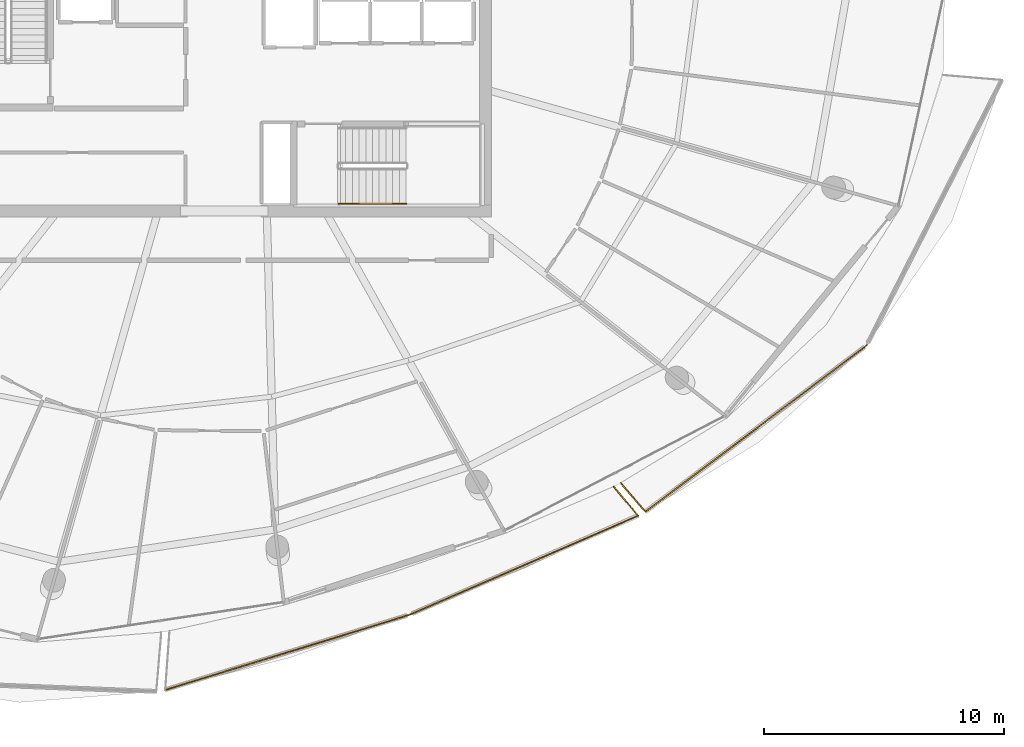
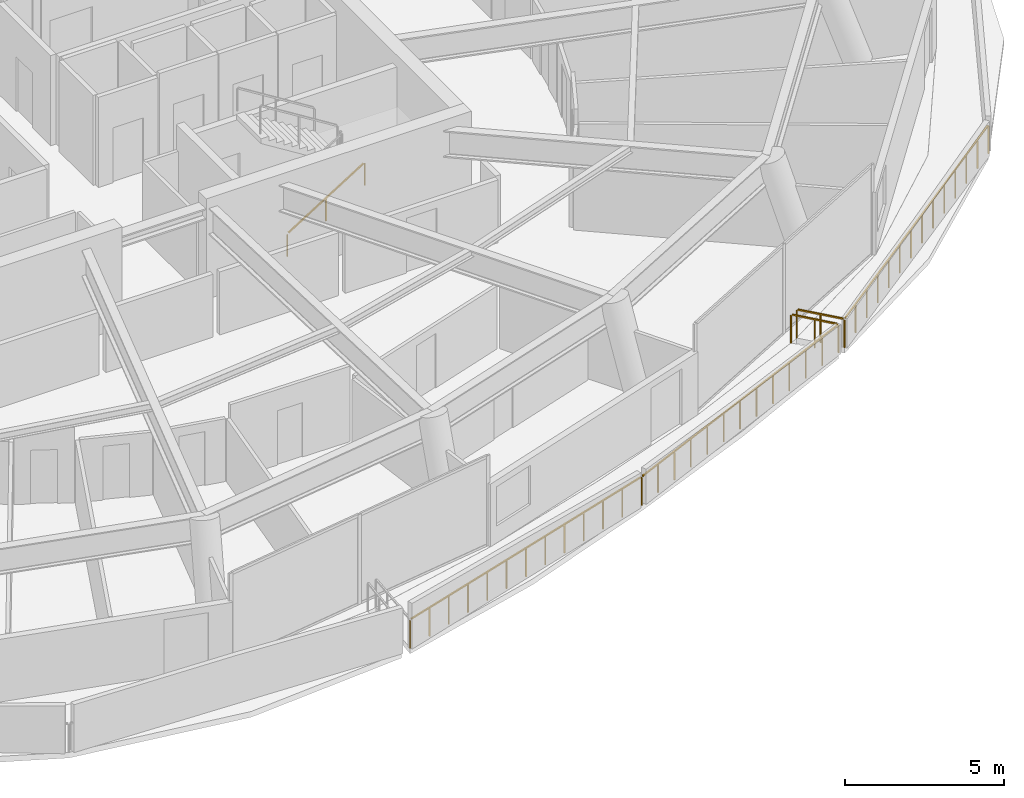
# One storey, part 26 of 30: 6 railings.
"""IFC4 building model written with IfcOpenShell, lengths in metres."""

from ifc_helpers import new_model, si_unit, direction, frame, origin, origin_2d, place, context, subcontext, project, spatial, rectangle, extrude, material, type_object, element, save


model = new_model("IFC4")

# Units and contexts
model_context = context("Model", 3, precision=1e-05, world=origin(), true_north=direction((0.0, 1.0)))
body_context = subcontext(model_context, "Body", "Model", "MODEL_VIEW")
ifc_project = project(units=[si_unit("LENGTHUNIT", "METRE"), si_unit("AREAUNIT", "SQUARE_METRE"), si_unit("VOLUMEUNIT", "CUBIC_METRE"), si_unit("PLANEANGLEUNIT", "RADIAN"), si_unit("MASSUNIT", "GRAM", prefix="KILO")], contexts=[model_context])

# Site, building, storey
site_placement = place(None, origin())
site = spatial("IfcSite", under=ifc_project, at=site_placement, CompositionType="ELEMENT")
building_placement = place(site_placement, origin())
building = spatial("IfcBuilding", under=site, at=building_placement, Name="Kazma Halo Residences", CompositionType="ELEMENT")
storey_placement = place(building_placement, frame((0.0, 0.0, 302.14990234375)))
storey = spatial("IfcBuildingStorey", under=building, at=storey_placement, Name="L76", CompositionType="ELEMENT", Elevation=302.14990234375)

# Railings
ifc_material_1 = material(Name="Aluminium AW-6063 T6 Brushed Cap Rail", Category="aluminium")
railing_type_1 = type_object("IfcRailingType", Name="RLG-BAL-CAP-1120", PredefinedType="BALUSTRADE", material=ifc_material_1)
railing_1_placement = place(storey_placement, frame((45.953369140625, 13.794189453125, 0.0)))
element("IfcRailing", 1, at=railing_1_placement, inside=storey, type_object=railing_type_1, Name="L76 SSE wave balcony guard 2", PredefinedType="BALUSTRADE", context=body_context, shape_type="SweptSolid", body=[
    extrude(rectangle(XDim=0.050048828125, YDim=0.050048828125, at=origin_2d()), frame((0.040771484375, 0.012451171875, 1.09521484375), z_axis=(0.955886857424, 0.293735111629, 0.0), x_axis=(-0.293735111629, 0.955886857424, 0.0)), (0.0, 0.0, 1.0), 10.57861328125),
    extrude(rectangle(XDim=0.0400390625, YDim=0.0400390625, at=origin_2d()), origin(), (0.0, 0.0, 1.0), 1.05810546875),
    extrude(rectangle(XDim=0.0400390625, YDim=0.0400390625, at=origin_2d()), frame((0.849365234375, 0.260986328125, 0.0)), (0.0, 0.0, 1.0), 1.05810546875),
    extrude(rectangle(XDim=0.0400390625, YDim=0.0400390625, at=origin_2d()), frame((1.698974609375, 0.52197265625, 0.0)), (0.0, 0.0, 1.0), 1.05810546875),
    extrude(rectangle(XDim=0.0400390625, YDim=0.0400390625, at=origin_2d()), frame((2.54833984375, 0.783203125, 0.0)), (0.0, 0.0, 1.0), 1.05810546875),
    extrude(rectangle(XDim=0.0400390625, YDim=0.0400390625, at=origin_2d()), frame((3.397705078125, 1.044189453125, 0.0)), (0.0, 0.0, 1.0), 1.05810546875),
    extrude(rectangle(XDim=0.0400390625, YDim=0.0400390625, at=origin_2d()), frame((4.247314453125, 1.30517578125, 0.0)), (0.0, 0.0, 1.0), 1.05810546875),
    extrude(rectangle(XDim=0.0400390625, YDim=0.0400390625, at=origin_2d()), frame((5.0966796875, 1.566162109375, 0.0)), (0.0, 0.0, 1.0), 1.05810546875),
    extrude(rectangle(XDim=0.0400390625, YDim=0.0400390625, at=origin_2d()), frame((5.946044921875, 1.8271484375, 0.0)), (0.0, 0.0, 1.0), 1.05810546875),
    extrude(rectangle(XDim=0.0400390625, YDim=0.0400390625, at=origin_2d()), frame((6.795654296875, 2.088134765625, 0.0)), (0.0, 0.0, 1.0), 1.05810546875),
    extrude(rectangle(XDim=0.0400390625, YDim=0.0400390625, at=origin_2d()), frame((7.64501953125, 2.34912109375, 0.0)), (0.0, 0.0, 1.0), 1.05810546875),
    extrude(rectangle(XDim=0.0400390625, YDim=0.0400390625, at=origin_2d()), frame((8.494384765625, 2.6103515625, 0.0)), (0.0, 0.0, 1.0), 1.05810546875),
    extrude(rectangle(XDim=0.0400390625, YDim=0.0400390625, at=origin_2d()), frame((9.343994140625, 2.871337890625, 0.0)), (0.0, 0.0, 1.0), 1.05810546875),
    extrude(rectangle(XDim=0.0400390625, YDim=0.0400390625, at=origin_2d()), frame((10.193359375, 3.13232421875, 0.0)), (0.0, 0.0, 1.0), 1.05810546875),
])
railing_2_placement = place(storey_placement, frame((56.146728515625, 16.926513671875, 0.0)))
element("IfcRailing", 2, at=railing_2_placement, inside=storey, type_object=railing_type_1, Name="L76 SSE wave balcony guard 3", PredefinedType="BALUSTRADE", context=body_context, shape_type="SweptSolid", body=[
    extrude(rectangle(XDim=0.050048828125, YDim=0.050048828125, at=origin_2d()), frame((0.0390625, 0.016845703125, 1.09521484375), z_axis=(0.917370135076, 0.398035218632, 0.0), x_axis=(-0.398035218632, 0.917370135076, 0.0)), (0.0, 0.0, 1.0), 10.29248046875),
    extrude(rectangle(XDim=0.0400390625, YDim=0.0400390625, at=origin_2d()), origin(), (0.0, 0.0, 1.0), 1.05810546875),
    extrude(rectangle(XDim=0.0400390625, YDim=0.0400390625, at=origin_2d()), frame((0.79345703125, 0.34423828125, 0.0)), (0.0, 0.0, 1.0), 1.05810546875),
    extrude(rectangle(XDim=0.0400390625, YDim=0.0400390625, at=origin_2d()), frame((1.586669921875, 0.6884765625, 0.0)), (0.0, 0.0, 1.0), 1.05810546875),
    extrude(rectangle(XDim=0.0400390625, YDim=0.0400390625, at=origin_2d()), frame((2.3798828125, 1.03271484375, 0.0)), (0.0, 0.0, 1.0), 1.05810546875),
    extrude(rectangle(XDim=0.0400390625, YDim=0.0400390625, at=origin_2d()), frame((3.17333984375, 1.376953125, 0.0)), (0.0, 0.0, 1.0), 1.05810546875),
    extrude(rectangle(XDim=0.0400390625, YDim=0.0400390625, at=origin_2d()), frame((3.966796875, 1.72119140625, 0.0)), (0.0, 0.0, 1.0), 1.05810546875),
    extrude(rectangle(XDim=0.0400390625, YDim=0.0400390625, at=origin_2d()), frame((4.760009765625, 2.0654296875, 0.0)), (0.0, 0.0, 1.0), 1.05810546875),
    extrude(rectangle(XDim=0.0400390625, YDim=0.0400390625, at=origin_2d()), frame((5.55322265625, 2.409423828125, 0.0)), (0.0, 0.0, 1.0), 1.05810546875),
    extrude(rectangle(XDim=0.0400390625, YDim=0.0400390625, at=origin_2d()), frame((6.3466796875, 2.753662109375, 0.0)), (0.0, 0.0, 1.0), 1.05810546875),
    extrude(rectangle(XDim=0.0400390625, YDim=0.0400390625, at=origin_2d()), frame((7.14013671875, 3.097900390625, 0.0)), (0.0, 0.0, 1.0), 1.05810546875),
    extrude(rectangle(XDim=0.0400390625, YDim=0.0400390625, at=origin_2d()), frame((7.933349609375, 3.442138671875, 0.0)), (0.0, 0.0, 1.0), 1.05810546875),
    extrude(rectangle(XDim=0.0400390625, YDim=0.0400390625, at=origin_2d()), frame((8.7265625, 3.786376953125, 0.0)), (0.0, 0.0, 1.0), 1.05810546875),
    extrude(rectangle(XDim=0.0400390625, YDim=0.0400390625, at=origin_2d()), frame((9.52001953125, 4.130615234375, 0.0)), (0.0, 0.0, 1.0), 1.05810546875),
])
railing_3_placement = place(storey_placement, frame((65.666748046875, 21.05712890625, 0.0)))
element("IfcRailing", 3, at=railing_3_placement, inside=storey, type_object=railing_type_1, Name="L76 SSE wave balcony guard 4", PredefinedType="BALUSTRADE", context=body_context, shape_type="SweptSolid", body=[
    extrude(rectangle(XDim=0.050048828125, YDim=0.050048828125, at=origin_2d()), frame((-0.02734375, 0.032470703125, 1.09521484375), z_axis=(-0.644823146011, 0.764331806461, 0.0), x_axis=(-0.764331806461, -0.644823146011, 0.0)), (0.0, 0.0, 1.0), 1.500244140625),
    extrude(rectangle(XDim=0.0400390625, YDim=0.0400390625, at=origin_2d()), origin(), (0.0, 0.0, 1.0), 1.05810546875),
    extrude(rectangle(XDim=0.0400390625, YDim=0.0400390625, at=origin_2d()), frame((-0.51123046875, 0.60595703125, 0.0)), (0.0, 0.0, 1.0), 1.05810546875),
    extrude(rectangle(XDim=0.0400390625, YDim=0.0400390625, at=origin_2d()), frame((-1.022216796875, 1.211669921875, 0.0)), (0.0, 0.0, 1.0), 1.05810546875),
])
railing_4_placement = place(storey_placement, frame((64.93212890625, 22.41845703125, 0.0)))
element("IfcRailing", 4, at=railing_4_placement, inside=storey, type_object=railing_type_1, Name="L76 SE wave balcony guard 1", PredefinedType="BALUSTRADE", context=body_context, shape_type="SweptSolid", body=[
    extrude(rectangle(XDim=0.050048828125, YDim=0.050048828125, at=origin_2d()), frame((0.02783203125, -0.0322265625, 1.09521484375), z_axis=(0.654135317285, -0.756377542422, 0.0), x_axis=(0.756377542422, 0.654135317285, 0.0)), (0.0, 0.0, 1.0), 1.505126953125),
    extrude(rectangle(XDim=0.0400390625, YDim=0.0400390625, at=origin_2d()), origin(), (0.0, 0.0, 1.0), 1.05810546875),
    extrude(rectangle(XDim=0.0400390625, YDim=0.0400390625, at=origin_2d()), frame((0.52001953125, -0.6015625, 0.0)), (0.0, 0.0, 1.0), 1.05810546875),
    extrude(rectangle(XDim=0.0400390625, YDim=0.0400390625, at=origin_2d()), frame((1.040283203125, -1.202880859375, 0.0)), (0.0, 0.0, 1.0), 1.05810546875),
])
railing_5_placement = place(storey_placement, frame((65.972412109375, 21.215576171875, 0.0)))
element("IfcRailing", 5, at=railing_5_placement, inside=storey, type_object=railing_type_1, Name="L76 SE wave balcony guard 2", PredefinedType="BALUSTRADE", context=body_context, shape_type="SweptSolid", body=[
    extrude(rectangle(XDim=0.050048828125, YDim=0.050048828125, at=origin_2d()), frame((0.033935546875, 0.025634765625, 1.09521484375), z_axis=(0.799153154591, 0.601127470265, 0.0), x_axis=(-0.601127470265, 0.799153154591, 0.0)), (0.0, 0.0, 1.0), 11.446044921875),
    extrude(rectangle(XDim=0.0400390625, YDim=0.0400390625, at=origin_2d()), origin(), (0.0, 0.0, 1.0), 1.05810546875),
    extrude(rectangle(XDim=0.0400390625, YDim=0.0400390625, at=origin_2d()), frame((0.708740234375, 0.533203125, 0.0)), (0.0, 0.0, 1.0), 1.05810546875),
    extrude(rectangle(XDim=0.0400390625, YDim=0.0400390625, at=origin_2d()), frame((1.417724609375, 1.06640625, 0.0)), (0.0, 0.0, 1.0), 1.05810546875),
    extrude(rectangle(XDim=0.0400390625, YDim=0.0400390625, at=origin_2d()), frame((2.12646484375, 1.599609375, 0.0)), (0.0, 0.0, 1.0), 1.05810546875),
    extrude(rectangle(XDim=0.0400390625, YDim=0.0400390625, at=origin_2d()), frame((2.83544921875, 2.1328125, 0.0)), (0.0, 0.0, 1.0), 1.05810546875),
    extrude(rectangle(XDim=0.0400390625, YDim=0.0400390625, at=origin_2d()), frame((3.544189453125, 2.666015625, 0.0)), (0.0, 0.0, 1.0), 1.05810546875),
    extrude(rectangle(XDim=0.0400390625, YDim=0.0400390625, at=origin_2d()), frame((4.253173828125, 3.19921875, 0.0)), (0.0, 0.0, 1.0), 1.05810546875),
    extrude(rectangle(XDim=0.0400390625, YDim=0.0400390625, at=origin_2d()), frame((4.9619140625, 3.732421875, 0.0)), (0.0, 0.0, 1.0), 1.05810546875),
    extrude(rectangle(XDim=0.0400390625, YDim=0.0400390625, at=origin_2d()), frame((5.6708984375, 4.265625, 0.0)), (0.0, 0.0, 1.0), 1.05810546875),
    extrude(rectangle(XDim=0.0400390625, YDim=0.0400390625, at=origin_2d()), frame((6.379638671875, 4.798828125, 0.0)), (0.0, 0.0, 1.0), 1.05810546875),
    extrude(rectangle(XDim=0.0400390625, YDim=0.0400390625, at=origin_2d()), frame((7.088623046875, 5.33203125, 0.0)), (0.0, 0.0, 1.0), 1.05810546875),
    extrude(rectangle(XDim=0.0400390625, YDim=0.0400390625, at=origin_2d()), frame((7.79736328125, 5.865234375, 0.0)), (0.0, 0.0, 1.0), 1.05810546875),
    extrude(rectangle(XDim=0.0400390625, YDim=0.0400390625, at=origin_2d()), frame((8.50634765625, 6.3984375, 0.0)), (0.0, 0.0, 1.0), 1.05810546875),
    extrude(rectangle(XDim=0.0400390625, YDim=0.0400390625, at=origin_2d()), frame((9.215087890625, 6.931640625, 0.0)), (0.0, 0.0, 1.0), 1.05810546875),
])
ifc_material_2 = material(Name="Brushed Stainless Steel", Category="steel")
railing_type_2 = type_object("IfcRailingType", Name="RLG-STAIR-HND-900", PredefinedType="HANDRAIL", material=ifc_material_2)
railing_6_placement = place(storey_placement, frame((53.199951171875, 34.050048828125, 0.175048828125)))
element("IfcRailing", 6, at=railing_6_placement, inside=storey, type_object=railing_type_2, Name="L76 ST-03 stair handrail 1", PredefinedType="HANDRAIL", context=body_context, shape_type="SweptSolid", body=[
    extrude(rectangle(XDim=0.050048828125, YDim=0.050048828125, at=origin_2d()), frame((0.0361328125, 0.0, 0.8974609375), z_axis=(0.848002457836, 0.0, 0.529992293815), x_axis=(0.0, 1.0, 0.0)), (0.0, 0.0, 1.0), 3.216796875),
    extrude(rectangle(XDim=0.0400390625, YDim=0.0400390625, at=origin_2d()), origin(), (0.0, 0.0, 1.0), 0.837890625),
    extrude(rectangle(XDim=0.0400390625, YDim=0.0400390625, at=origin_2d()), frame((1.39990234375, 0.0, 0.875)), (0.0, 0.0, 1.0), 0.837890625),
    extrude(rectangle(XDim=0.0400390625, YDim=0.0400390625, at=origin_2d()), frame((2.800048828125, 0.0, 1.75)), (0.0, 0.0, 1.0), 0.837890625),
])

save(model, "model.ifc")
